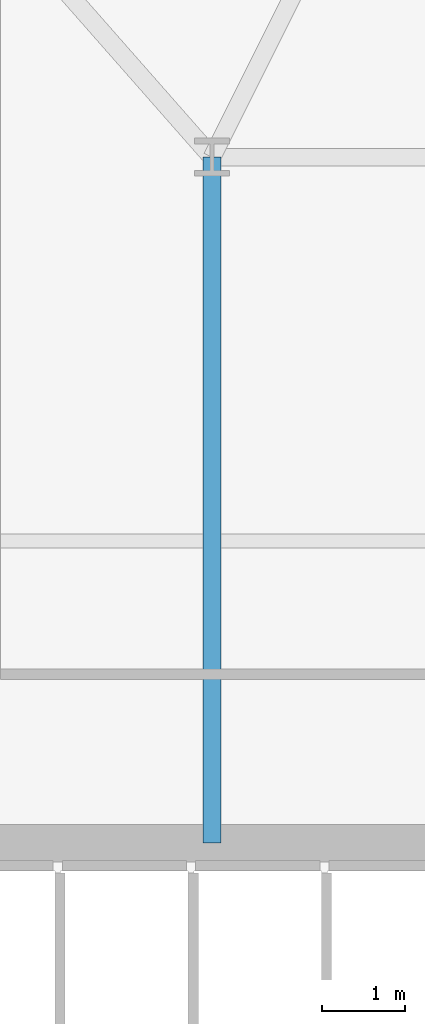
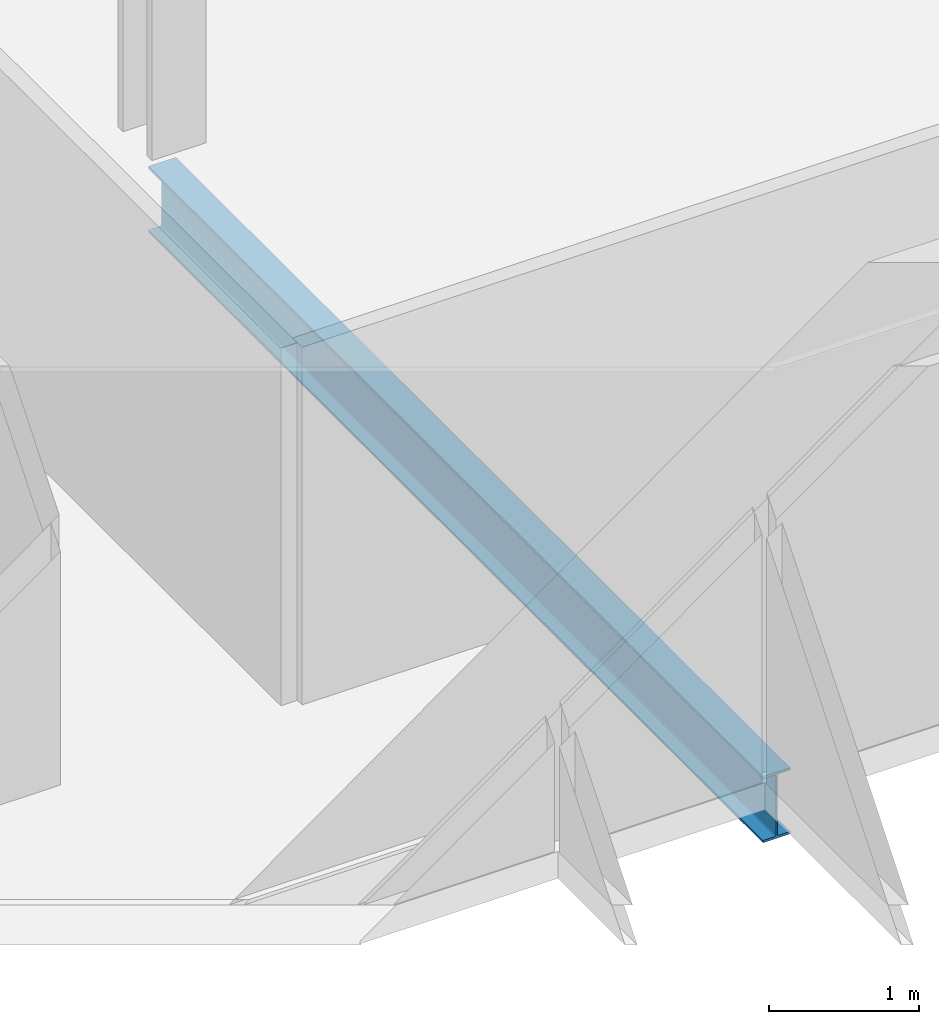
# One storey, part 6 of 31: 1 beam.
"""IFC4 building model written with IfcOpenShell, lengths in metres."""

from ifc_helpers import new_model, si_unit, direction, frame, origin, origin_2d, place, context, subcontext, project, spatial, i_section, extrude, material, material_profile, profile_set, type_object, element, save


model = new_model("IFC4")

# Units and contexts
model_context = context("Model", 3, precision=1e-05, world=origin(), true_north=direction((0.0, 1.0)))
body_context = subcontext(model_context, "Body", "Model", "MODEL_VIEW")
ifc_project = project(units=[si_unit("LENGTHUNIT", "METRE"), si_unit("AREAUNIT", "SQUARE_METRE"), si_unit("VOLUMEUNIT", "CUBIC_METRE"), si_unit("PLANEANGLEUNIT", "RADIAN"), si_unit("MASSUNIT", "GRAM", prefix="KILO")], contexts=[model_context])

# Site, building, storey
site_placement = place(None, origin())
site = spatial("IfcSite", under=ifc_project, at=site_placement, CompositionType="ELEMENT")
building_placement = place(site_placement, origin())
building = spatial("IfcBuilding", under=site, at=building_placement, Name="Ndaravel Arena Tower", CompositionType="ELEMENT")
storey_placement = place(building_placement, frame((0.0, 0.0, 108.199951171875)))
storey = spatial("IfcBuildingStorey", under=building, at=storey_placement, Name="L25", CompositionType="ELEMENT", Elevation=108.199951171875)

# Beam
ifc_material = material(Name="Steel S355", Category="steel")
ifc_material_profile = material_profile(ifc_material, i_section(OverallWidth=0.210693359375, OverallDepth=0.53955078125, WebThickness=0.01171875, FlangeThickness=0.018798828125, FilletRadius=0.0126953125, at=origin_2d()), Name="UB 533x210x109")
ifc_profile_set = profile_set([ifc_material_profile], Name="Steel S355")
beam_type = type_object("IfcBeamType", Name="BM-GIRD-UB533", PredefinedType="BEAM", material=ifc_profile_set)
beam_placement = place(storey_placement, frame((34.199951171875, 14.97998046875, -0.48974609375), z_axis=(0.0, 1.0, 0.0), x_axis=(-1.0, 0.0, 0.0)))
element("IfcBeam", 1, at=beam_placement, inside=storey, type_object=beam_type, Name="L25 Spine Link Girder SLG-01", PredefinedType="BEAM", context=body_context, shape_type="SweptSolid", body=[
    extrude(i_section(OverallWidth=0.210693359375, OverallDepth=0.53955078125, WebThickness=0.01171875, FlangeThickness=0.018798828125, FilletRadius=0.0126953125, at=origin_2d()), origin(), (0.0, 0.0, 1.0), 8.219970703125),
])

save(model, "model.ifc")
